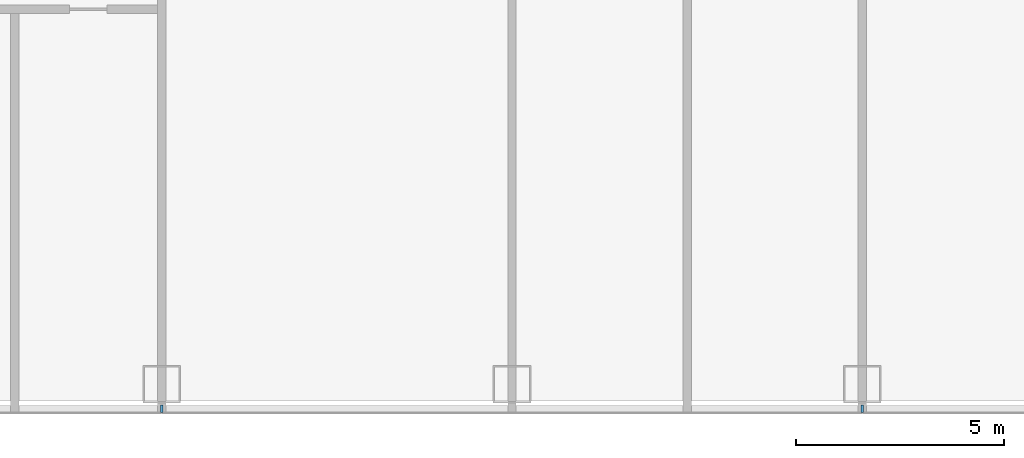
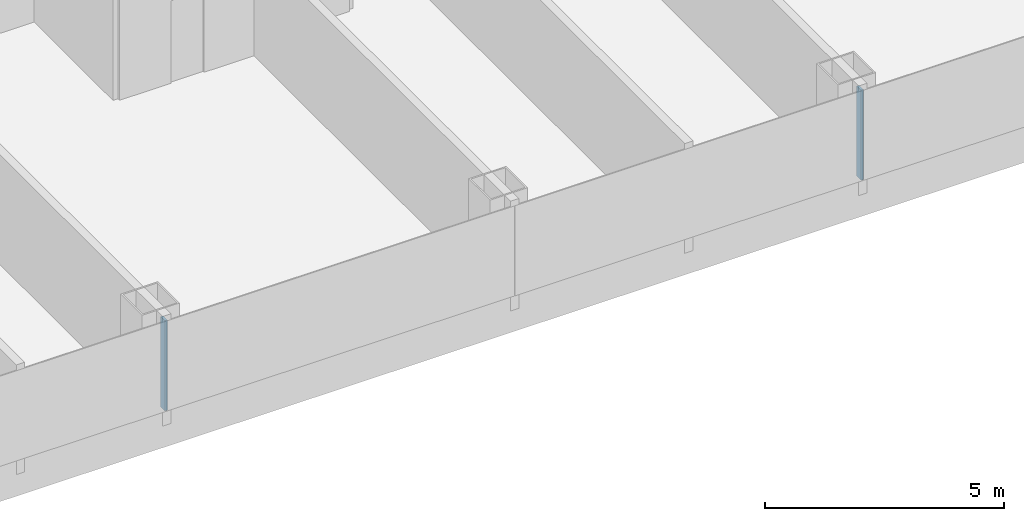
# One storey, part 4 of 28: 2 members, 1 element without a shape of its own.
"""IFC4 building model written with IfcOpenShell, lengths in metres."""

from ifc_helpers import new_model, si_unit, direction, frame, origin, origin_2d, place, context, subcontext, project, spatial, rectangle, extrude, material, layer, layer_set, material_profile, profile_set, type_object, element, aggregate, save


model = new_model("IFC4")

# Units and contexts
model_context = context("Model", 3, precision=1e-05, world=origin(), true_north=direction((0.0, 1.0)))
body_context = subcontext(model_context, "Body", "Model", "MODEL_VIEW")
ifc_project = project(units=[si_unit("LENGTHUNIT", "METRE"), si_unit("AREAUNIT", "SQUARE_METRE"), si_unit("VOLUMEUNIT", "CUBIC_METRE"), si_unit("PLANEANGLEUNIT", "RADIAN"), si_unit("MASSUNIT", "GRAM", prefix="KILO")], contexts=[model_context])

# Site, building, storey
site_placement = place(None, origin())
site = spatial("IfcSite", under=ifc_project, at=site_placement, CompositionType="ELEMENT")
building_placement = place(site_placement, origin())
building = spatial("IfcBuilding", under=site, at=building_placement, Name="Hakoniwa Tower and Hamabe Station Hall", CompositionType="ELEMENT")
storey_placement = place(building_placement, frame((0.0, 0.0, 58.199951171875)))
storey = spatial("IfcBuildingStorey", under=building, at=storey_placement, Name="L16", CompositionType="ELEMENT", Elevation=58.199951171875)

# Curtain wall, members
ifc_material_1 = material(Name="Dark low-e laminated glass", Category="glass")
ifc_layer = layer(ifc_material_1, 0.199951171875)
ifc_layer_set = layer_set([ifc_layer], Name="CW-1 UNITISED GUEST")
curtain_wall_type = type_object("IfcCurtainWallType", Name="CW-1 UNITISED GUEST", PredefinedType="NOTDEFINED", material=ifc_layer_set)
curtain_wall_placement = place(storey_placement, origin())
curtain_wall = element("IfcCurtainWall", 1, at=curtain_wall_placement, inside=storey, type_object=curtain_wall_type, Name="CW-1 curtain wall", PredefinedType="NOTDEFINED")
ifc_material_2 = material(Name="Aluminium 6063-T5 black anodised", Category="aluminium")
ifc_material_profile = material_profile(ifc_material_2, rectangle(XDim=0.06005859375, YDim=0.179931640625, at=origin_2d()), Name="CW-1 MULLION 60X180")
ifc_profile_set = profile_set([ifc_material_profile], Name="Aluminium 6063-T5 black anodised")
member_type = type_object("IfcMemberType", Name="CW-1 MULLION 60X180", PredefinedType="MULLION", material=ifc_profile_set)
member_1_placement = place(storey_placement, frame((-16.800048828125, -20.181884765625, 0.35009765625), z_axis=(0.0, 0.0, 1.0), x_axis=(1.0, 0.0, 0.0)))
member_1 = element("IfcMember", 2, at=member_1_placement, type_object=member_type, Name="CW-1 mullion", PredefinedType="MULLION", context=body_context, shape_type="SweptSolid", body=[
    extrude(rectangle(XDim=0.06005859375, YDim=0.179931640625, at=origin_2d()), origin(), (0.0, 0.0, 1.0), 2.300048828125),
])
member_2_placement = place(storey_placement, frame((0.0, -20.181884765625, 0.35009765625), z_axis=(0.0, 0.0, 1.0), x_axis=(1.0, 0.0, 0.0)))
member_2 = element("IfcMember", 3, at=member_2_placement, type_object=member_type, Name="CW-1 mullion", PredefinedType="MULLION", context=body_context, shape_type="SweptSolid", body=[
    extrude(rectangle(XDim=0.06005859375, YDim=0.179931640625, at=origin_2d()), origin(), (0.0, 0.0, 1.0), 2.300048828125),
])
aggregate(curtain_wall, [member_1, member_2])

save(model, "model.ifc")
